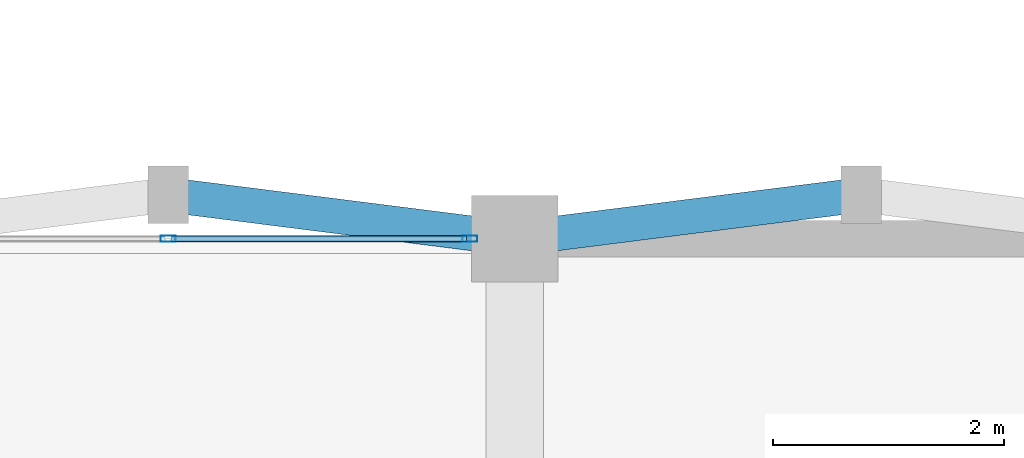
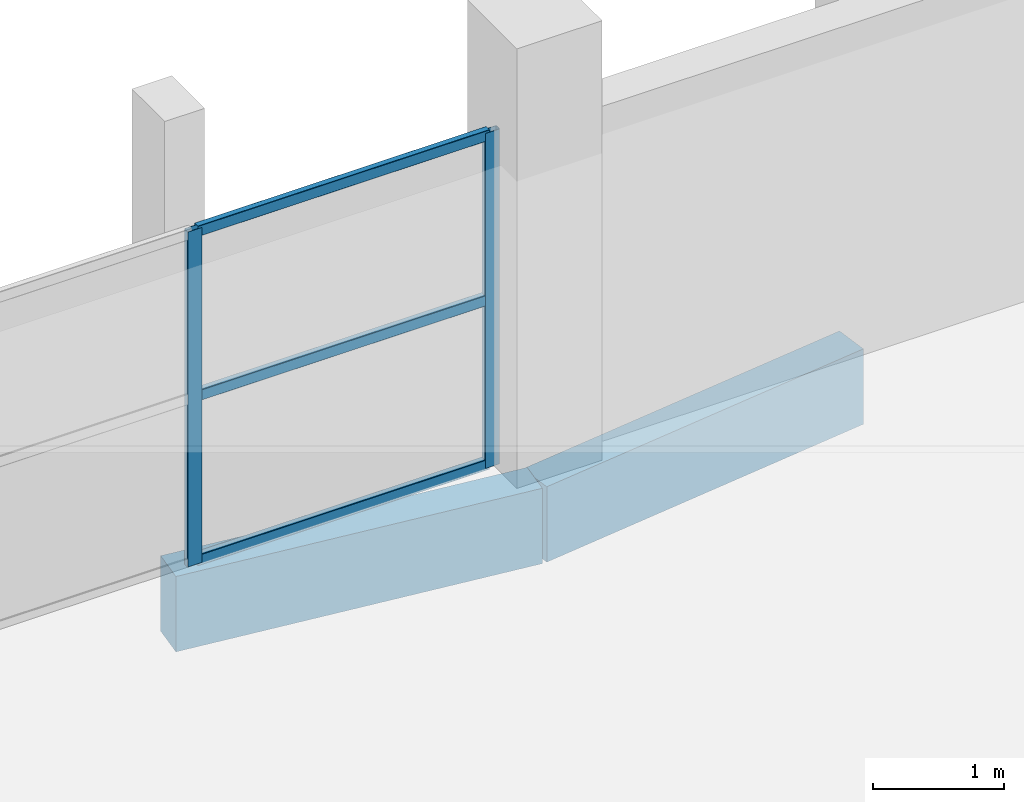
# One storey, part 15 of 127: 5 members, 2 beams, 1 element without a shape of its own.
"""IFC4 building model written with IfcOpenShell, lengths in metres."""

import ifcopenshell
import ifcopenshell.guid

model = None  # the IFC model being written
_history = None  # IfcOwnerHistory: only IFC2X3 demands one
_inside = {}  # id of a spatial element -> (the spatial element, [elements in it])
_under = {}  # id of a project, library or spatial element -> (it, [spatial elements below it])
_declared = {}  # id of a project -> (the project, [libraries it declares])
_typed = {}  # id of a type object -> (the type object, [elements of that type])
_made_of = {}  # id of a material, layer set ... -> (it, [elements and type objects made of it])


def new_model(schema):
    """Start an empty IFC model of exactly this schema.

    Asked for "IFC4X3", IfcOpenShell would pick the latest addendum, in which some entities
    have other attributes; the version numbers below select the first issue.
    IFC2X3 requires an IfcOwnerHistory on every rooted entity: one is made here for all.
    """
    global model, _history
    if schema == "IFC4X3":
        model = ifcopenshell.file(schema_version=(4, 3, 0, 0))
    else:
        model = ifcopenshell.file(schema=schema)
    _inside.clear()
    _under.clear()
    _declared.clear()
    _typed.clear()
    _made_of.clear()
    _history = None
    if model.schema == "IFC2X3":
        org = make("IfcOrganization", Name="unknown")
        user = make(
            "IfcPersonAndOrganization",
            ThePerson=make("IfcPerson", FamilyName="unknown"),
            TheOrganization=org,
        )
        app = make(
            "IfcApplication",
            ApplicationDeveloper=org,
            Version="unknown",
            ApplicationFullName="unknown",
            ApplicationIdentifier="unknown",
        )
        _history = make(
            "IfcOwnerHistory",
            OwningUser=user,
            OwningApplication=app,
            ChangeAction="ADDED",
            CreationDate=0,
        )
    return model


def make(cls, **values):
    """One entity of the class cls with the attributes given. An attribute that is None is left unset."""
    return model.create_entity(
        cls, **{name: value for name, value in values.items() if value is not None}
    )


def rooted(cls, **values):
    """An entity with a GlobalId (a new one), such as an element, a storey or a relation."""
    return make(cls, GlobalId=ifcopenshell.guid.new(), OwnerHistory=_history, **values)


def si_unit(unit_type, name, prefix=None):
    """IfcSIUnit, for example si_unit("LENGTHUNIT", "METRE", prefix="MILLI")."""
    return make("IfcSIUnit", UnitType=unit_type, Prefix=prefix, Name=name)


def assignment(units):
    """IfcUnitAssignment: the units of a project."""
    return None if units is None else make("IfcUnitAssignment", Units=units)


def point(xyz):
    """IfcCartesianPoint."""
    return None if xyz is None else make("IfcCartesianPoint", Coordinates=xyz)


def direction(xyz):
    """IfcDirection."""
    return None if xyz is None else make("IfcDirection", DirectionRatios=xyz)


def frame(location, z_axis=None, x_axis=None):
    """IfcAxis2Placement3D, a coordinate frame: its origin and axes. An axis left out is left unset."""
    return make(
        "IfcAxis2Placement3D",
        Location=point(location),
        Axis=direction(z_axis),
        RefDirection=direction(x_axis),
    )


def frame_2d(location, x_axis=None):
    """IfcAxis2Placement2D, a coordinate frame in the plane: its origin and x axis."""
    return make(
        "IfcAxis2Placement2D", Location=point(location), RefDirection=direction(x_axis)
    )


def origin():
    """The frame at (0, 0, 0) with its axes left unset."""
    return frame((0.0, 0.0, 0.0))


def origin_2d():
    """The frame at (0, 0) in the plane with its x axis left unset."""
    return frame_2d((0.0, 0.0))


def place(relative_to, where):
    """IfcLocalPlacement: puts the frame where relative to a parent placement (None: the world)."""
    return make(
        "IfcLocalPlacement", PlacementRelTo=relative_to, RelativePlacement=where
    )


def context(
    kind, dimensions, precision=None, world=None, true_north=None, identifier=None
):
    """IfcGeometricRepresentationContext, for example the 3D "Model" context."""
    return make(
        "IfcGeometricRepresentationContext",
        ContextIdentifier=identifier,
        ContextType=kind,
        CoordinateSpaceDimension=dimensions,
        Precision=precision,
        WorldCoordinateSystem=world,
        TrueNorth=true_north,
    )


def subcontext(parent, identifier, kind, view, scale=None):
    """IfcGeometricRepresentationSubContext, for example "Body" below "Model"."""
    return make(
        "IfcGeometricRepresentationSubContext",
        ContextIdentifier=identifier,
        ContextType=kind,
        ParentContext=parent,
        TargetScale=scale,
        TargetView=view,
    )


def project(units=None, contexts=None):
    """IfcProject with its units and contexts."""
    return rooted(
        "IfcProject",
        Name="project",
        RepresentationContexts=contexts,
        UnitsInContext=assignment(units),
    )


def spatial(cls, under=None, at=None, **own):
    """A site, building, storey or space (cls), placed at a placement, below another one or the project."""
    s = rooted(cls, ObjectPlacement=at, **own)
    if under is not None:
        _under.setdefault(under.id(), (under, []))[1].append(s)
    return s


def profile(cls, at=None, kind="AREA", **sizes):
    """A parametric profile (cls). Its sizes go by their IFC names, for example OverallWidth=200.0."""
    return make(cls, ProfileType=kind, Position=at, **sizes)


def rectangle(**sizes):
    """IfcRectangleProfileDef."""
    return profile("IfcRectangleProfileDef", **sizes)


def hollow_rectangle(**sizes):
    """IfcRectangleHollowProfileDef."""
    return profile("IfcRectangleHollowProfileDef", **sizes)


def extrude(swept, where, along, depth):
    """IfcExtrudedAreaSolid: the profile swept, set in the frame where, extruded along a direction by depth."""
    return make(
        "IfcExtrudedAreaSolid",
        SweptArea=swept,
        Position=where,
        ExtrudedDirection=direction(along),
        Depth=depth,
    )


def shape(context_of_items, identifier, shape_type, items):
    """IfcShapeRepresentation: the items that make up one representation, for example the "Body"."""
    return make(
        "IfcShapeRepresentation",
        ContextOfItems=context_of_items,
        RepresentationIdentifier=identifier,
        RepresentationType=shape_type,
        Items=items,
    )


def material(Name=None, Category=None):
    """IfcMaterial."""
    return make("IfcMaterial", Name=Name, Category=Category)


def layer(
    of_material, thickness, ventilated=None, Name=None, Category=None, Priority=None
):
    """IfcMaterialLayer: one layer of a wall or slab, of a material (None: an air gap)."""
    return make(
        "IfcMaterialLayer",
        Material=of_material,
        LayerThickness=thickness,
        IsVentilated=ventilated,
        Name=Name,
        Category=Category,
        Priority=Priority,
    )


def layer_set(layers, Name=None):
    """IfcMaterialLayerSet."""
    return make("IfcMaterialLayerSet", MaterialLayers=layers, LayerSetName=Name)


def material_profile(
    of_material, cross_section, Name=None, Category=None, Priority=None
):
    """IfcMaterialProfile: a cross section and its material."""
    return make(
        "IfcMaterialProfile",
        Name=Name,
        Material=of_material,
        Profile=cross_section,
        Priority=Priority,
        Category=Category,
    )


def profile_set(profiles, Name=None, composite=None):
    """IfcMaterialProfileSet."""
    return make(
        "IfcMaterialProfileSet",
        Name=Name,
        MaterialProfiles=profiles,
        CompositeProfile=composite,
    )


def made_of(thing, what):
    """Note that an element or type object is made of a material, layer set ...; save() writes the relation."""
    if what is not None:
        _made_of.setdefault(what.id(), (what, []))[1].append(thing)
    return thing


def type_object(cls, material=None, **own):
    """A type object (cls), such as IfcWallType, which elements share."""
    return made_of(rooted(cls, **own), material)


def element(
    cls,
    number,
    at=None,
    inside=None,
    cuts=None,
    type_object=None,
    material=None,
    context=None,
    identifier="Body",
    shape_type=None,
    held_by="IfcProductDefinitionShape",
    body=None,
    shapes=None,
    **own,
):
    """One element of the class cls, such as IfcWall. Its Tag is "e" and its number.

    at: its placement. inside: the storey or other place that contains it. cuts: it is an
    opening in that element (IfcRelVoidsElement). A single representation is given by context,
    identifier, shape_type and body (its items); several are given by shapes. held_by: the class
    of the entity that holds the representations. save() writes the other relations.
    """
    e = rooted(cls, Tag="e%d" % number, ObjectPlacement=at, **own)
    if body is not None:
        shapes = [shape(context, identifier, shape_type, body)]
    if shapes is not None:
        e.Representation = make(held_by, Representations=shapes)
    if inside is not None:
        _inside.setdefault(inside.id(), (inside, []))[1].append(e)
    if cuts is not None:
        rooted(
            "IfcRelVoidsElement", RelatingBuildingElement=cuts, RelatedOpeningElement=e
        )
    if type_object is not None:
        _typed.setdefault(type_object.id(), (type_object, []))[1].append(e)
    return made_of(e, material)


def aggregate(whole, parts):
    """IfcRelAggregates: a whole, such as a stair, and the parts it consists of."""
    return rooted("IfcRelAggregates", RelatingObject=whole, RelatedObjects=parts)


def save(model, path):
    """Write the relations noted so far, then the file.

    IfcRelAggregates (storeys below a building ...), IfcRelContainedInSpatialStructure (elements
    in a storey), IfcRelDefinesByType, IfcRelAssociatesMaterial and IfcRelDeclares: one each for
    every whole, place, type object, material and project.
    """
    for whole, parts in _under.values():
        aggregate(whole, parts)
    for where, things in _inside.values():
        rooted(
            "IfcRelContainedInSpatialStructure",
            RelatedElements=things,
            RelatingStructure=where,
        )
    for kind, things in _typed.values():
        rooted("IfcRelDefinesByType", RelatedObjects=things, RelatingType=kind)
    for what, things in _made_of.values():
        rooted("IfcRelAssociatesMaterial", RelatedObjects=things, RelatingMaterial=what)
    for by, libraries in _declared.values():
        rooted("IfcRelDeclares", RelatingContext=by, RelatedDefinitions=libraries)
    model.write(path)


model = new_model("IFC4")

# Units and contexts
model_context = context("Model", 3, precision=1e-05, world=origin(), true_north=direction((0.0, 1.0)))
body_context = subcontext(model_context, "Body", "Model", "MODEL_VIEW")
ifc_project = project(units=[si_unit("LENGTHUNIT", "METRE"), si_unit("AREAUNIT", "SQUARE_METRE"), si_unit("VOLUMEUNIT", "CUBIC_METRE"), si_unit("PLANEANGLEUNIT", "RADIAN"), si_unit("MASSUNIT", "GRAM", prefix="KILO")], contexts=[model_context])

# Site, building, storey
site_placement = place(None, origin())
site = spatial("IfcSite", under=ifc_project, at=site_placement, CompositionType="ELEMENT")
building_placement = place(site_placement, origin())
building = spatial("IfcBuilding", under=site, at=building_placement, Name="Dunvalen Ferry Terminal", CompositionType="ELEMENT")
storey_placement = place(building_placement, frame((0.0, 0.0, 5.760009765625)))
storey = spatial("IfcBuildingStorey", under=building, at=storey_placement, Name="L01", CompositionType="ELEMENT", Elevation=5.760009765625)

# Curtain wall, members
ifc_material_1 = material(Name="Anodised marine aluminium and solar-control glazing", Category="aluminium")
ifc_layer = layer(ifc_material_1, 0.14990234375, Name="Anodised marine aluminium and solar-control glazing")
ifc_layer_set = layer_set([ifc_layer], Name="Anodised marine aluminium and solar-control glazing")
curtain_wall_type = type_object("IfcCurtainWallType", Name="ENV-CW-SYS-11", PredefinedType="NOTDEFINED", material=ifc_layer_set)
curtain_wall_placement = place(storey_placement, origin())
curtain_wall = element("IfcCurtainWall", 1, at=curtain_wall_placement, inside=storey, type_object=curtain_wall_type, Name="L01 Curtain Wall CW-V5CORE-L01-7-9", PredefinedType="NOTDEFINED")
ifc_material_2 = material(Name="Anodised marine aluminium EN AW-6063 T6", Category="aluminium")
ifc_material_profile_1 = material_profile(ifc_material_2, hollow_rectangle(XDim=0.054931640625, YDim=0.1298828125, WallThickness=0.003173828125, InnerFilletRadius=0.003173828125, OuterFilletRadius=0.00634765625, at=origin_2d()), Name="Anodised marine aluminium EN AW-6063 T6")
ifc_profile_set_1 = profile_set([ifc_material_profile_1], Name="Anodised marine aluminium EN AW-6063 T6")
member_type_1 = type_object("IfcMemberType", Name="ENV-CW-MUL-4", PredefinedType="MULLION", material=ifc_profile_set_1)
member_1_placement = place(storey_placement, frame((35.612548828125, 36.0, 0.0), z_axis=(0.0, 0.0, 1.0), x_axis=(0.0, -1.0, 0.0)))
member_1 = element("IfcMember", 2, at=member_1_placement, type_object=member_type_1, Name="CW-11 mullion 1", PredefinedType="MULLION", context=body_context, shape_type="SweptSolid", body=[
    extrude(hollow_rectangle(XDim=0.054931640625, YDim=0.1298828125, WallThickness=0.003173828125, InnerFilletRadius=0.003173828125, OuterFilletRadius=0.00634765625, at=origin_2d()), origin(), (0.0, 0.0, 1.0), 3.110107421875),
])
member_2_placement = place(storey_placement, frame((33.0, 36.0, 0.0), z_axis=(0.0, 0.0, 1.0), x_axis=(0.0, -1.0, 0.0)))
member_2 = element("IfcMember", 3, at=member_2_placement, type_object=member_type_1, Name="CW-11 mullion 2", PredefinedType="MULLION", context=body_context, shape_type="SweptSolid", body=[
    extrude(hollow_rectangle(XDim=0.054931640625, YDim=0.1298828125, WallThickness=0.003173828125, InnerFilletRadius=0.003173828125, OuterFilletRadius=0.00634765625, at=origin_2d()), origin(), (0.0, 0.0, 1.0), 3.110107421875),
])
ifc_material_profile_2 = material_profile(ifc_material_2, hollow_rectangle(XDim=0.054931640625, YDim=0.10009765625, WallThickness=0.0029296875, InnerFilletRadius=0.0029296875, OuterFilletRadius=0.006103515625, at=origin_2d()), Name="Anodised marine aluminium EN AW-6063 T6")
ifc_profile_set_2 = profile_set([ifc_material_profile_2], Name="Anodised marine aluminium EN AW-6063 T6")
member_type_2 = type_object("IfcMemberType", Name="ENV-CW-TRN-4", PredefinedType="USERDEFINED", material=ifc_profile_set_2)
member_3_placement = place(storey_placement, frame((35.5849609375, 36.0, 0.027587890625), z_axis=(-1.0, 0.0, 0.0), x_axis=(0.0, -1.0, 0.0)))
member_3 = element("IfcMember", 4, at=member_3_placement, type_object=member_type_2, Name="CW-11 transom 1.1", ObjectType="TRANSOM", PredefinedType="USERDEFINED", context=body_context, shape_type="SweptSolid", body=[
    extrude(hollow_rectangle(XDim=0.054931640625, YDim=0.10009765625, WallThickness=0.0029296875, InnerFilletRadius=0.0029296875, OuterFilletRadius=0.006103515625, at=origin_2d()), origin(), (0.0, 0.0, 1.0), 2.557373046875),
])
member_4_placement = place(storey_placement, frame((35.5849609375, 36.0, 1.554931640625), z_axis=(-1.0, 0.0, 0.0), x_axis=(0.0, -1.0, 0.0)))
member_4 = element("IfcMember", 5, at=member_4_placement, type_object=member_type_2, Name="CW-11 transom 1.2", ObjectType="TRANSOM", PredefinedType="USERDEFINED", context=body_context, shape_type="SweptSolid", body=[
    extrude(hollow_rectangle(XDim=0.054931640625, YDim=0.10009765625, WallThickness=0.0029296875, InnerFilletRadius=0.0029296875, OuterFilletRadius=0.006103515625, at=origin_2d()), origin(), (0.0, 0.0, 1.0), 2.557373046875),
])
member_5_placement = place(storey_placement, frame((35.5849609375, 36.0, 3.08251953125), z_axis=(-1.0, 0.0, 0.0), x_axis=(0.0, -1.0, 0.0)))
member_5 = element("IfcMember", 6, at=member_5_placement, type_object=member_type_2, Name="CW-11 transom 1.3", ObjectType="TRANSOM", PredefinedType="USERDEFINED", context=body_context, shape_type="SweptSolid", body=[
    extrude(hollow_rectangle(XDim=0.054931640625, YDim=0.10009765625, WallThickness=0.0029296875, InnerFilletRadius=0.0029296875, OuterFilletRadius=0.006103515625, at=origin_2d()), origin(), (0.0, 0.0, 1.0), 2.557373046875),
])
aggregate(curtain_wall, [member_1, member_2, member_3, member_4, member_5])

# Beams
ifc_material_3 = material(Name="Concrete C40/50", Category="concrete")
ifc_material_profile_3 = material_profile(ifc_material_3, rectangle(XDim=0.300048828125, YDim=0.699951171875, at=origin_2d()), Name="Concrete C40/50")
ifc_profile_set_3 = profile_set([ifc_material_profile_3], Name="Concrete C40/50")
beam_type = type_object("IfcBeamType", Name="STR-BM-RCSP700", PredefinedType="SPANDREL", material=ifc_profile_set_3)
for number, where, z_axis, x_axis, name in (
    (7, (33.0, 36.3798828125, -0.610107421875), (0.992077869489, -0.12562444376, 0.0), (0.12562444376, 0.992077869489, 0.0), "L01 Passage Pilaster Spandrel Tie 04.2"),
    (8, (36.0, 36.0, -0.610107421875), (0.992077869489, 0.12562444376, 0.0), (-0.12562444376, 0.992077869489, 0.0), "L01 Passage Pilaster Spandrel Tie 05.1"),
):
    element("IfcBeam", number, at=place(storey_placement, frame(where, z_axis=z_axis, x_axis=x_axis)), inside=storey, type_object=beam_type, Name=name, PredefinedType="SPANDREL", context=body_context, shape_type="SweptSolid", body=[
        extrude(rectangle(XDim=0.300048828125, YDim=0.699951171875, at=origin_2d()), origin(), (0.0, 0.0, 1.0), 3.02392578125),
    ])

save(model, "model.ifc")
